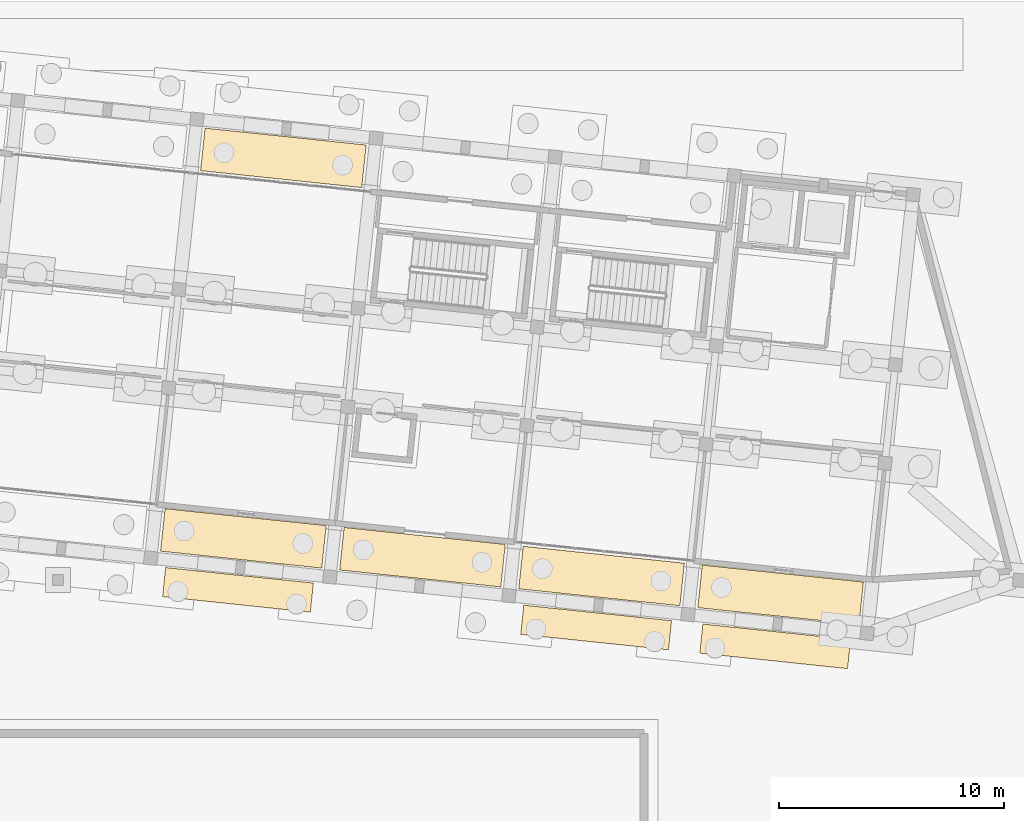
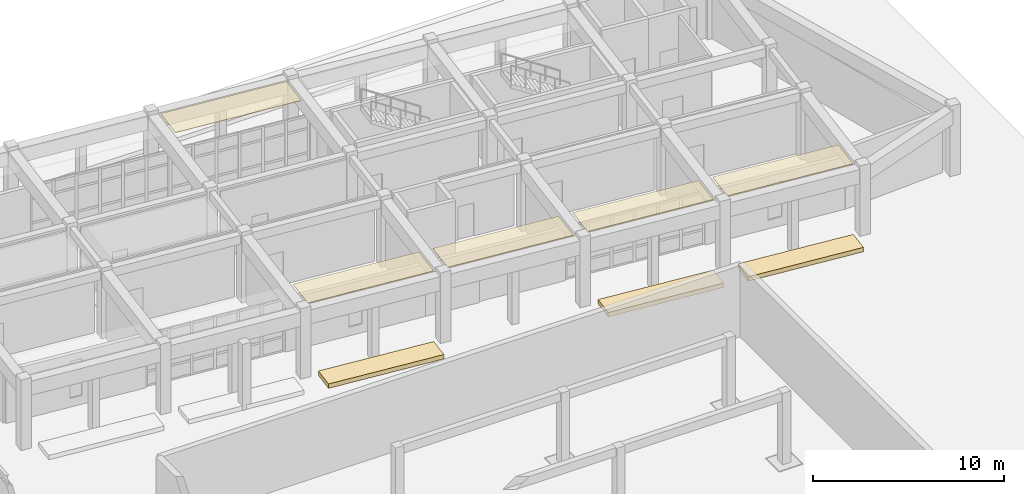
# One storey, part 151 of 154: 8 coverings.
"""IFC4 building model written with IfcOpenShell, lengths in metres."""

from ifc_helpers import new_model, si_unit, direction, frame, origin, origin_2d, place, context, subcontext, project, spatial, polyline, rectangle, outline, extrude, material, layer, layer_set, type_object, element, save


model = new_model("IFC4")

# Units and contexts
model_context = context("Model", 3, precision=1e-05, world=origin(), true_north=direction((0.0, 1.0)))
body_context = subcontext(model_context, "Body", "Model", "MODEL_VIEW")
ifc_project = project(units=[si_unit("LENGTHUNIT", "METRE"), si_unit("AREAUNIT", "SQUARE_METRE"), si_unit("VOLUMEUNIT", "CUBIC_METRE"), si_unit("PLANEANGLEUNIT", "RADIAN"), si_unit("MASSUNIT", "GRAM", prefix="KILO")], contexts=[model_context])

# Site, building, storey
site_placement = place(None, origin())
site = spatial("IfcSite", under=ifc_project, at=site_placement, CompositionType="ELEMENT")
building_placement = place(site_placement, origin())
building = spatial("IfcBuilding", under=site, at=building_placement, Name="Kestramere Prow Commons", CompositionType="ELEMENT")
storey_placement = place(building_placement, origin())
storey = spatial("IfcBuildingStorey", under=building, at=storey_placement, Name="L00", CompositionType="ELEMENT", Elevation=0.0)

# Coverings
ifc_material_1 = material(Name="Planted Tropical Rain-Garden Soil and Foliage")
ifc_layer_1 = layer(ifc_material_1, 0.280029296875)
ifc_layer_set_1 = layer_set([ifc_layer_1], Name="Planted Tropical Rain-Garden Soil and Foliage")
covering_type_1 = type_object("IfcCoveringType", Name="COV-PLANT-STRIP", PredefinedType="USERDEFINED", material=ifc_layer_set_1)
covering_1_placement = place(storey_placement, origin())
element("IfcCovering", 1, at=covering_1_placement, inside=storey, type_object=covering_type_1, Name="Street Setback Planted Landscape Strip PLST-B-S-2", ObjectType="PLANTED STRIP", PredefinedType="USERDEFINED", context=body_context, shape_type="SweptSolid", body=[
    extrude(outline(polyline([(126.572021484375, 92.706298828125), (133.1357421875, 92.016357421875), (133.0, 90.723388671875), (126.43603515625, 91.413330078125), (126.572021484375, 92.706298828125)])), origin(), (0.0, 0.0, 1.0), 0.280029296875),
])
covering_2_placement = place(storey_placement, origin())
element("IfcCovering", 2, at=covering_2_placement, inside=storey, type_object=covering_type_1, Name="Street Setback Planted Landscape Strip PLST-B-S-4", ObjectType="PLANTED STRIP", PredefinedType="USERDEFINED", context=body_context, shape_type="SweptSolid", body=[
    extrude(outline(polyline([(142.484375, 91.03369140625), (149.048095703125, 90.343994140625), (148.912109375, 89.051025390625), (142.348388671875, 89.740966796875), (142.484375, 91.03369140625)])), origin(), (0.0, 0.0, 1.0), 0.280029296875),
])
covering_3_placement = place(storey_placement, origin())
element("IfcCovering", 3, at=covering_3_placement, inside=storey, type_object=covering_type_1, Name="Street Setback Planted Landscape Strip PLST-B-S-5", ObjectType="PLANTED STRIP", PredefinedType="USERDEFINED", context=body_context, shape_type="SweptSolid", body=[
    extrude(outline(polyline([(150.4404296875, 90.197509765625), (157.00439453125, 89.5078125), (156.868408203125, 88.21484375), (150.3046875, 88.90478515625), (150.4404296875, 90.197509765625)])), origin(), (0.0, 0.0, 1.0), 0.280029296875),
])
ifc_material_2 = material(Name="Perforated Aluminium Colonnade Soffit Cladding", Category="aluminium")
ifc_layer_2 = layer(ifc_material_2, 0.030029296875)
ifc_layer_set_2 = layer_set([ifc_layer_2], Name="Perforated Aluminium Colonnade Soffit Cladding")
covering_type_2 = type_object("IfcCoveringType", Name="COV-SOFFIT-ALU", PredefinedType="CLADDING", material=ifc_layer_set_2)
for number, where, z_axis, x_axis, name in (
    (4, (130.0263671875, 94.002197265625, 4.22021484375), (0.0, 0.0, 1.0), (0.994521895368, -0.104528463268, 0.0), "Block B South Colonnade Soffit Panel 3"),
    (5, (131.80322265625, 110.9091796875, 4.22021484375), (0.0, 0.0, 1.0), (0.994521895368, -0.104528463268, 0.0), "Block B North Colonnade Soffit Panel 3"),
    (6, (137.982421875, 93.166015625, 4.22021484375), (0.0, 0.0, 1.0), (0.994521895368, -0.104528463268, 0.0), "Block B South Colonnade Soffit Panel 4"),
    (7, (145.938720703125, 92.329833984375, 4.22021484375), (0.0, 0.0, 1.0), (0.994521895368, -0.104528463268, 0.0), "Block B South Colonnade Soffit Panel 5"),
    (8, (153.894775390625, 91.49365234375, 4.22021484375), (0.0, 0.0, 1.0), (0.994521895368, -0.104528463268, 0.0), "Block B South Colonnade Soffit Panel 6"),
):
    element("IfcCovering", number, at=place(storey_placement, frame(where, z_axis=z_axis, x_axis=x_axis)), inside=storey, type_object=covering_type_2, Name=name, PredefinedType="CLADDING", context=body_context, shape_type="SweptSolid", body=[
        extrude(rectangle(XDim=7.199951171875, YDim=1.89990234375, at=origin_2d()), origin(), (0.0, 0.0, 1.0), 0.030029296875),
    ])

save(model, "model.ifc")
